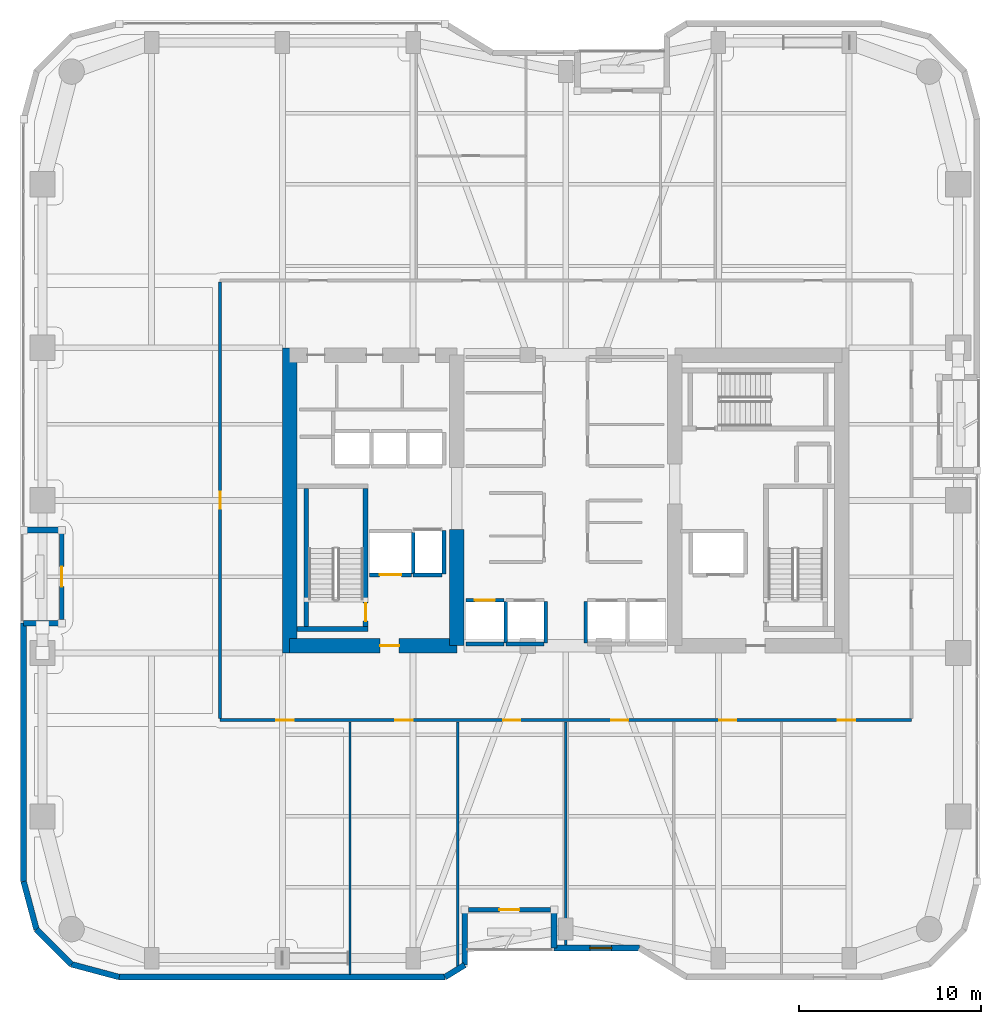
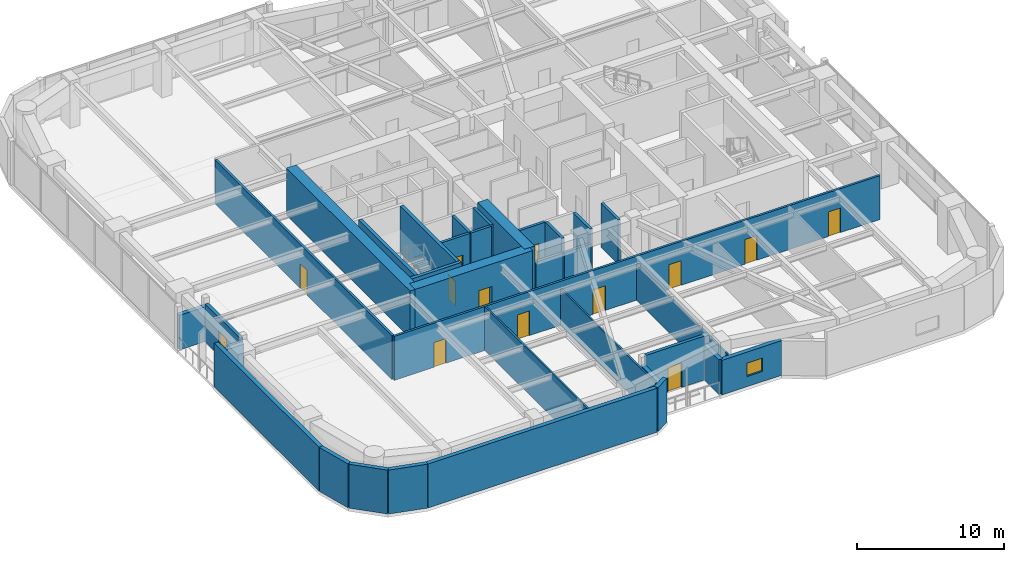
# One storey, part 18 of 24: 34 walls, 13 doors, 1 window, 14 openings.
"""IFC4 building model written with IfcOpenShell, lengths in metres."""

from ifc_helpers import new_model, si_unit, direction, frame, frame_2d, origin, place, context, subcontext, project, spatial, rectangle, extrude, material, layer, layer_set, type_object, element, fill, save


model = new_model("IFC4")

# Units and contexts
model_context = context("Model", 3, precision=1e-05, world=origin(), true_north=direction((0.0, 1.0)))
body_context = subcontext(model_context, "Body", "Model", "MODEL_VIEW")
ifc_project = project(units=[si_unit("LENGTHUNIT", "METRE"), si_unit("AREAUNIT", "SQUARE_METRE"), si_unit("VOLUMEUNIT", "CUBIC_METRE"), si_unit("PLANEANGLEUNIT", "RADIAN"), si_unit("MASSUNIT", "GRAM", prefix="KILO")], contexts=[model_context])

# Site, building, storey
site_placement = place(None, origin())
site = spatial("IfcSite", under=ifc_project, at=site_placement, CompositionType="ELEMENT")
building_placement = place(site_placement, origin())
building = spatial("IfcBuilding", under=site, at=building_placement, Name="Kiyonajd Concourse Tower", CompositionType="ELEMENT")
storey_placement = place(building_placement, frame((0.0, 0.0, 105.300048828125)))
storey = spatial("IfcBuildingStorey", under=building, at=storey_placement, Name="L27", CompositionType="ELEMENT", Elevation=105.300048828125)

# Walls
ifc_material_1 = material(Name="Concrete C70/85", Category="concrete")
ifc_layer_1 = layer(ifc_material_1, 0.800048828125)
ifc_layer_set_1 = layer_set([ifc_layer_1], Name="Concrete C70/85")
wall_type_1 = type_object("IfcWallType", Name="WL-CORE-800", PredefinedType="SHEAR", material=ifc_layer_set_1)
wall_1_placement = place(storey_placement, frame((32.800048828125, 27.60009765625, 0.0), z_axis=(0.0, 0.0, 1.0), x_axis=(0.0, 1.0, 0.0)))
element("IfcWall", 1, at=wall_1_placement, inside=storey, type_object=wall_type_1, Name="L27 West Core Outer Shear Wall", PredefinedType="SHEAR", context=body_context, shape_type="SweptSolid", body=[
    extrude(rectangle(XDim=16.7998046875, YDim=0.800048828125, at=frame_2d((8.39990234375, 0.0))), origin(), (0.0, 0.0, 1.0), 3.89990234375),
])
wall_2_placement = place(storey_placement, frame((42.0, 28.0, 0.0), z_axis=(0.0, 0.0, 1.0), x_axis=(0.0, 1.0, 0.0)))
element("IfcWall", 2, at=wall_2_placement, inside=storey, type_object=wall_type_1, Name="L27 West Core Inner South Shear Wall", PredefinedType="SHEAR", context=body_context, shape_type="SweptSolid", body=[
    extrude(rectangle(XDim=6.39990234375, YDim=0.800048828125, at=frame_2d((3.199951171875, 0.0))), origin(), (0.0, 0.0, 1.0), 3.89990234375),
])

# Wall, opening, door
wall_3_placement = place(storey_placement, frame((32.800048828125, 28.0, 0.0), z_axis=(0.0, 0.0, 1.0), x_axis=(1.0, 0.0, 0.0)))
wall_3 = element("IfcWall", 3, at=wall_3_placement, inside=storey, type_object=wall_type_1, Name="L27 West Core South Shear Wall", PredefinedType="SHEAR", context=body_context, shape_type="SweptSolid", body=[
    extrude(rectangle(XDim=9.199951171875, YDim=0.800048828125, at=frame_2d((4.60009765625, 0.0))), origin(), (0.0, 0.0, 1.0), 3.89990234375),
])
opening_1_placement = place(wall_3_placement, frame((4.97509765625, 0.0, 0.0)))
opening_1 = element("IfcOpeningElement", 4, at=opening_1_placement, cuts=wall_3, Name="Opening DF5", PredefinedType="OPENING", context=body_context, shape_type="SweptSolid", body=[
    extrude(rectangle(XDim=1.050048828125, YDim=2.0400390625, at=frame_2d((0.52490234375, 1.02001953125))), frame((0.0, 0.409912109375, 0.0), z_axis=(0.0, -1.0, 0.0), x_axis=(1.0, 0.0, 0.0)), (0.0, 0.0, 1.0), 0.820068359375),
])
ifc_material_2 = material(Name="Brushed Stainless Steel Cab Assembly", Category="steel")
door_type_1 = type_object("IfcDoorType", Name="DR-FD45-1050", OperationType="NOTDEFINED", PredefinedType="DOOR", material=ifc_material_2)
door_1_placement = place(opening_1_placement, origin())
door_1 = element("IfcDoor", 5, at=door_1_placement, inside=storey, type_object=door_type_1, Name="L27 Firefighting Lift Lobby W Smoke Door", OperationType="SINGLE_SWING_LEFT", OverallHeight=2.0400390625, OverallWidth=1.050048828125, PredefinedType="DOOR", context=body_context, shape_type="SweptSolid", body=[
    extrude(rectangle(XDim=1.050048828125, YDim=2.0400390625, at=frame_2d((0.52490234375, 1.02001953125))), frame((0.0, 0.02490234375, 0.0), z_axis=(0.0, -1.0, 0.0), x_axis=(1.0, 0.0, 0.0)), (0.0, 0.0, 1.0), 0.050048828125),
])
fill(opening_1, door_1)

# Walls
ifc_material_3 = material(Name="Precast concrete C50/60", Category="concrete")
ifc_layer_2 = layer(ifc_material_3, 0.320068359375)
ifc_layer_set_2 = layer_set([ifc_layer_2], Name="Precast concrete C50/60")
wall_type_2 = type_object("IfcWallType", Name="WL-EXT-320", PredefinedType="SOLIDWALL", material=ifc_layer_set_2)
wall_4_placement = place(storey_placement, frame((18.866455078125, 12.3828125, 0.0), z_axis=(0.0, 0.0, 1.0), x_axis=(-0.25869736047, 0.965958423373, 0.0)))
element("IfcWall", 6, at=wall_4_placement, inside=storey, type_object=wall_type_2, Name="L27 Exterior Concrete Frame Wall 00", PredefinedType="SOLIDWALL", context=body_context, shape_type="SweptSolid", body=[
    extrude(rectangle(XDim=2.731201171875, YDim=0.320068359375, at=frame_2d((1.36572265625, 0.0))), origin(), (0.0, 0.0, 1.0), 3.639892578125),
])
wall_5_placement = place(storey_placement, frame((18.159912109375, 15.02099609375, 0.0), z_axis=(0.0, 0.0, 1.0), x_axis=(0.0, 1.0, 0.0)))
element("IfcWall", 7, at=wall_5_placement, inside=storey, type_object=wall_type_2, Name="L27 Exterior Concrete Frame Wall 01", PredefinedType="SOLIDWALL", context=body_context, shape_type="SweptSolid", body=[
    extrude(rectangle(XDim=14.218994140625, YDim=0.320068359375, at=frame_2d((7.109375, 0.0))), origin(), (0.0, 0.0, 1.0), 3.639892578125),
])
for number, where, z_axis, x_axis, name in (
    (8, (18.159912109375, 29.239990234375, 0.0), (0.0, 0.0, 1.0), (1.0, 0.0, 0.0), "L27 Exterior Concrete Frame Wall 02"),
    (9, (20.260009765625, 34.360107421875, 0.0), (0.0, 0.0, 1.0), (-1.0, 0.0, 0.0), "L27 Exterior Concrete Frame Wall 04"),
):
    element("IfcWall", number, at=place(storey_placement, frame(where, z_axis=z_axis, x_axis=x_axis)), inside=storey, type_object=wall_type_2, Name=name, PredefinedType="SOLIDWALL", context=body_context, shape_type="SweptSolid", body=[
        extrude(rectangle(XDim=2.10009765625, YDim=0.320068359375, at=frame_2d((1.050048828125, 0.0))), origin(), (0.0, 0.0, 1.0), 2.875),
    ])

# Wall, opening, window
wall_6_placement = place(storey_placement, frame((52.04541015625, 11.360107421875, 0.0), z_axis=(0.0, 0.0, 1.0), x_axis=(-1.0, 0.0, 0.0)))
wall_6 = element("IfcWall", 10, at=wall_6_placement, inside=storey, type_object=wall_type_2, Name="L27 Exterior Concrete Frame Wall 30", PredefinedType="SOLIDWALL", context=body_context, shape_type="SweptSolid", body=[
    extrude(rectangle(XDim=4.685302734375, YDim=0.320068359375, at=frame_2d((2.3427734375, 0.0))), origin(), (0.0, 0.0, 1.0), 2.875),
])
opening_2_placement = place(wall_6_placement, frame((1.51806640625, 0.0, 0.85009765625)))
opening_2 = element("IfcOpeningElement", 11, at=opening_2_placement, cuts=wall_6, Name="Opening WN3", PredefinedType="OPENING", context=body_context, shape_type="SweptSolid", body=[
    extrude(rectangle(XDim=1.199951171875, YDim=1.10009765625, at=frame_2d((0.60009765625, 0.550048828125))), frame((0.0, 0.169921875, 0.0), z_axis=(0.0, -1.0, 0.0), x_axis=(1.0, 0.0, 0.0)), (0.0, 0.0, 1.0), 0.340087890625),
])
ifc_material_4 = material(Name="Double Low-E Insulated Glass", Category="glass")
window_type = type_object("IfcWindowType", Name="WN-VIS-1200x1100", PartitioningType="SINGLE_PANEL", PredefinedType="WINDOW", material=ifc_material_4)
window_placement = place(opening_2_placement, origin())
window = element("IfcWindow", 12, at=window_placement, inside=storey, type_object=window_type, Name="L27 Modular Facade Vision Window 30", OverallHeight=1.10009765625, OverallWidth=1.199951171875, PartitioningType="SINGLE_PANEL", PredefinedType="WINDOW", context=body_context, shape_type="SweptSolid", body=[
    extrude(rectangle(XDim=1.199951171875, YDim=1.10009765625, at=frame_2d((0.60009765625, 0.550048828125))), frame((0.0, 0.030029296875, 0.0), z_axis=(0.0, -1.0, 0.0), x_axis=(1.0, 0.0, 0.0)), (0.0, 0.0, 1.0), 0.06005859375),
])
fill(opening_2, window)

# Walls
wall_7_placement = place(storey_placement, frame((47.360107421875, 11.360107421875, 0.0), z_axis=(0.0, 0.0, 1.0), x_axis=(0.0, 1.0, 0.0)))
element("IfcWall", 13, at=wall_7_placement, inside=storey, type_object=wall_type_2, Name="L27 Exterior Concrete Frame Wall 31", PredefinedType="SOLIDWALL", context=body_context, shape_type="SweptSolid", body=[
    extrude(rectangle(XDim=2.099853515625, YDim=0.320068359375, at=frame_2d((1.0498046875, 0.0))), origin(), (0.0, 0.0, 1.0), 2.875),
])
wall_8_placement = place(storey_placement, frame((42.43994140625, 13.4599609375, 0.0), z_axis=(0.0, 0.0, 1.0), x_axis=(0.0, -1.0, 0.0)))
element("IfcWall", 14, at=wall_8_placement, inside=storey, type_object=wall_type_2, Name="L27 Exterior Concrete Frame Wall 33", PredefinedType="SOLIDWALL", context=body_context, shape_type="SweptSolid", body=[
    extrude(rectangle(XDim=3.032470703125, YDim=0.320068359375, at=frame_2d((1.51611328125, 0.0))), origin(), (0.0, 0.0, 1.0), 2.875),
])
wall_9_placement = place(storey_placement, frame((42.43994140625, 10.427490234375, 0.0), z_axis=(0.0, 0.0, 1.0), x_axis=(-0.851776724646, -0.523904964045, 0.0)))
element("IfcWall", 15, at=wall_9_placement, inside=storey, type_object=wall_type_2, Name="L27 Exterior Concrete Frame Wall 34", PredefinedType="SOLIDWALL", context=body_context, shape_type="SweptSolid", body=[
    extrude(rectangle(XDim=1.274169921875, YDim=0.320068359375, at=frame_2d((0.63720703125, 0.0))), origin(), (0.0, 0.0, 1.0), 3.639892578125),
])
wall_10_placement = place(storey_placement, frame((41.354736328125, 9.760009765625, 0.0), z_axis=(0.0, 0.0, 1.0), x_axis=(-1.0, 0.0, 0.0)))
element("IfcWall", 16, at=wall_10_placement, inside=storey, type_object=wall_type_2, Name="L27 Exterior Concrete Frame Wall 35", PredefinedType="SOLIDWALL", context=body_context, shape_type="SweptSolid", body=[
    extrude(rectangle(XDim=17.93359375, YDim=0.320068359375, at=frame_2d((8.966796875, 0.0))), origin(), (0.0, 0.0, 1.0), 3.639892578125),
])
wall_11_placement = place(storey_placement, frame((23.421142578125, 9.760009765625, 0.0), z_axis=(0.0, 0.0, 1.0), x_axis=(-0.965964405026, 0.25867502435, 0.0)))
element("IfcWall", 17, at=wall_11_placement, inside=storey, type_object=wall_type_2, Name="L27 Exterior Concrete Frame Wall 36", PredefinedType="SOLIDWALL", context=body_context, shape_type="SweptSolid", body=[
    extrude(rectangle(XDim=2.7314453125, YDim=0.320068359375, at=frame_2d((1.36572265625, 0.0))), origin(), (0.0, 0.0, 1.0), 3.639892578125),
])
wall_12_placement = place(storey_placement, frame((20.78271484375, 10.466552734375, 0.0), z_axis=(0.0, 0.0, 1.0), x_axis=(-0.707106781187, 0.707106781187, 0.0)))
element("IfcWall", 18, at=wall_12_placement, inside=storey, type_object=wall_type_2, Name="L27 Exterior Concrete Frame Wall 37", PredefinedType="SOLIDWALL", context=body_context, shape_type="SweptSolid", body=[
    extrude(rectangle(XDim=2.7099609375, YDim=0.320068359375, at=frame_2d((1.35498046875, 0.0))), origin(), (0.0, 0.0, 1.0), 3.639892578125),
])

# Wall, opening, door
ifc_layer_3 = layer(ifc_material_3, 0.239990234375)
ifc_layer_set_3 = layer_set([ifc_layer_3], Name="Precast concrete C50/60")
wall_type_3 = type_object("IfcWallType", Name="WL-LOG-240", PredefinedType="SOLIDWALL", material=ifc_layer_set_3)
wall_13_placement = place(storey_placement, frame((20.260009765625, 29.43505859375, 0.0), z_axis=(0.0, 0.0, 1.0), x_axis=(0.0, 1.0, 0.0)))
wall_13 = element("IfcWall", 19, at=wall_13_placement, inside=storey, type_object=wall_type_3, Name="L27 Recessed Loggia Thermal Wall LOG-W", PredefinedType="SOLIDWALL", context=body_context, shape_type="SweptSolid", body=[
    extrude(rectangle(XDim=4.72998046875, YDim=0.239990234375, at=frame_2d((2.364990234375, 0.0))), origin(), (0.0, 0.0, 1.0), 3.161865234375),
])
opening_3_placement = place(wall_13_placement, frame((1.81494140625, 0.0, 0.0)))
opening_3 = element("IfcOpeningElement", 20, at=opening_3_placement, cuts=wall_13, Name="Opening DL2", PredefinedType="OPENING", context=body_context, shape_type="SweptSolid", body=[
    extrude(rectangle(XDim=1.10009765625, YDim=2.0400390625, at=frame_2d((0.550048828125, 1.02001953125))), frame((0.0, 0.1298828125, 0.0), z_axis=(0.0, -1.0, 0.0), x_axis=(1.0, 0.0, 0.0)), (0.0, 0.0, 1.0), 0.260009765625),
])
ifc_material_5 = material(Name="Thermally Broken Anodised Aluminium", Category="aluminium")
door_type_2 = type_object("IfcDoorType", Name="DR-LOG-1100", OperationType="NOTDEFINED", PredefinedType="DOOR", material=ifc_material_5)
door_2_placement = place(opening_3_placement, origin())
door_2 = element("IfcDoor", 21, at=door_2_placement, inside=storey, type_object=door_type_2, Name="L27 Engawa Loggia Access Door LOG-W", OperationType="SINGLE_SWING_LEFT", OverallHeight=2.0400390625, OverallWidth=1.10009765625, PredefinedType="DOOR", context=body_context, shape_type="SweptSolid", body=[
    extrude(rectangle(XDim=1.10009765625, YDim=2.0400390625, at=frame_2d((0.550048828125, 1.02001953125))), frame((0.0, 0.02490234375, 0.0), z_axis=(0.0, -1.0, 0.0), x_axis=(1.0, 0.0, 0.0)), (0.0, 0.0, 1.0), 0.050048828125),
])
fill(opening_3, door_2)

wall_14_placement = place(storey_placement, frame((47.1650390625, 13.4599609375, 0.0), z_axis=(0.0, 0.0, 1.0), x_axis=(-1.0, 0.0, 0.0)))
wall_14 = element("IfcWall", 22, at=wall_14_placement, inside=storey, type_object=wall_type_3, Name="L27 Recessed Loggia Thermal Wall LOG-S", PredefinedType="SOLIDWALL", context=body_context, shape_type="SweptSolid", body=[
    extrude(rectangle(XDim=4.530029296875, YDim=0.239990234375, at=frame_2d((2.26513671875, 0.0))), origin(), (0.0, 0.0, 1.0), 3.639892578125),
])
opening_4_placement = place(wall_14_placement, frame((1.715087890625, 0.0, 0.0)))
opening_4 = element("IfcOpeningElement", 23, at=opening_4_placement, cuts=wall_14, Name="Opening DL2", PredefinedType="OPENING", context=body_context, shape_type="SweptSolid", body=[
    extrude(rectangle(XDim=1.10009765625, YDim=2.0400390625, at=frame_2d((0.550048828125, 1.02001953125))), frame((0.0, 0.1298828125, 0.0), z_axis=(0.0, -1.0, 0.0), x_axis=(1.0, 0.0, 0.0)), (0.0, 0.0, 1.0), 0.260009765625),
])
door_3_placement = place(opening_4_placement, origin())
door_3 = element("IfcDoor", 24, at=door_3_placement, inside=storey, type_object=door_type_2, Name="L27 Engawa Loggia Access Door LOG-S", OperationType="SINGLE_SWING_RIGHT", OverallHeight=2.0400390625, OverallWidth=1.10009765625, PredefinedType="DOOR", context=body_context, shape_type="SweptSolid", body=[
    extrude(rectangle(XDim=1.10009765625, YDim=2.0400390625, at=frame_2d((0.550048828125, 1.02001953125))), frame((0.0, 0.02490234375, 0.0), z_axis=(0.0, -1.0, 0.0), x_axis=(1.0, 0.0, 0.0)), (0.0, 0.0, 1.0), 0.050048828125),
])
fill(opening_4, door_3)

# Walls
ifc_material_6 = material(Name="Gypsum Board on Cold-Formed Steel Stud", Category="steel")
ifc_layer_4 = layer(ifc_material_6, 0.125)
ifc_layer_set_4 = layer_set([ifc_layer_4], Name="Gypsum Board on Cold-Formed Steel Stud")
wall_type_4 = type_object("IfcWallType", Name="WL-PART-125", PredefinedType="PARTITIONING", material=ifc_layer_set_4)
wall_15_placement = place(storey_placement, frame((36.1201171875, 9.9150390625, 0.0), z_axis=(0.0, 0.0, 1.0), x_axis=(0.0, 1.0, 0.0)))
element("IfcWall", 25, at=wall_15_placement, inside=storey, type_object=wall_type_4, Name="L27 Interior Partition Wall", PredefinedType="PARTITIONING", context=body_context, shape_type="SweptSolid", body=[
    extrude(rectangle(XDim=13.89794921875, YDim=0.125, at=frame_2d((6.948974609375, 0.0))), origin(), (0.0, 0.0, 1.0), 3.639892578125),
])
wall_16_placement = place(storey_placement, frame((42.06005859375, 10.34912109375, 0.0), z_axis=(0.0, 0.0, 1.0), x_axis=(0.0, 1.0, 0.0)))
element("IfcWall", 26, at=wall_16_placement, inside=storey, type_object=wall_type_4, Name="L27 Interior Partition Wall", PredefinedType="PARTITIONING", context=body_context, shape_type="SweptSolid", body=[
    extrude(rectangle(XDim=13.4638671875, YDim=0.125, at=frame_2d((6.73193359375, 0.0))), origin(), (0.0, 0.0, 1.0), 3.0029296875),
])
wall_17_placement = place(storey_placement, frame((48.0, 11.514892578125, 0.0), z_axis=(0.0, 0.0, 1.0), x_axis=(0.0, 1.0, 0.0)))
element("IfcWall", 27, at=wall_17_placement, inside=storey, type_object=wall_type_4, Name="L27 Interior Partition Wall", PredefinedType="PARTITIONING", context=body_context, shape_type="SweptSolid", body=[
    extrude(rectangle(XDim=12.298095703125, YDim=0.125, at=frame_2d((6.14892578125, 0.0))), origin(), (0.0, 0.0, 1.0), 3.0029296875),
])

# Wall, opening, door
ifc_layer_5 = layer(ifc_material_6, 0.2099609375)
ifc_layer_set_5 = layer_set([ifc_layer_5], Name="Gypsum Board on Cold-Formed Steel Stud")
wall_type_5 = type_object("IfcWallType", Name="WL-SHAFT-210", PredefinedType="PARTITIONING", material=ifc_layer_set_5)
wall_18_placement = place(storey_placement, frame((37.199951171875, 31.89990234375, 0.0), z_axis=(0.0, 0.0, 1.0), x_axis=(1.0, 0.0, 0.0)))
wall_18 = element("IfcWall", 28, at=wall_18_placement, inside=storey, type_object=wall_type_5, Name="L27 Shaft Enclosure Wall", PredefinedType="PARTITIONING", context=body_context, shape_type="SweptSolid", body=[
    extrude(rectangle(XDim=2.300048828125, YDim=0.2099609375, at=frame_2d((1.14990234375, 0.0))), origin(), (0.0, 0.0, 1.0), 3.639892578125),
])
opening_5_placement = place(wall_18_placement, frame((0.550048828125, 0.0, 0.0)))
opening_5 = element("IfcOpeningElement", 29, at=opening_5_placement, cuts=wall_18, Name="Opening LD2", PredefinedType="OPENING", context=body_context, shape_type="SweptSolid", body=[
    extrude(rectangle(XDim=1.199951171875, YDim=2.0400390625, at=frame_2d((0.60009765625, 1.02001953125))), frame((0.0, 0.114990234375, 0.0), z_axis=(0.0, -1.0, 0.0), x_axis=(1.0, 0.0, 0.0)), (0.0, 0.0, 1.0), 0.22998046875),
])
door_type_3 = type_object("IfcDoorType", Name="DR-LD-1200", OperationType="DOUBLE_DOOR_SLIDING", PredefinedType="DOOR", material=ifc_material_2)
door_4_placement = place(opening_5_placement, origin())
door_4 = element("IfcDoor", 30, at=door_4_placement, inside=storey, type_object=door_type_3, Name="L27 Lift FFL1 Sliding Landing Door", OperationType="DOUBLE_DOOR_SLIDING", OverallHeight=2.0400390625, OverallWidth=1.199951171875, PredefinedType="DOOR", context=body_context, shape_type="SweptSolid", body=[
    extrude(rectangle(XDim=1.199951171875, YDim=2.0400390625, at=frame_2d((0.60009765625, 1.02001953125))), frame((0.0, 0.02490234375, 0.0), z_axis=(0.0, -1.0, 0.0), x_axis=(1.0, 0.0, 0.0)), (0.0, 0.0, 1.0), 0.050048828125),
])
fill(opening_5, door_4)

# Walls
wall_19_placement = place(storey_placement, frame((39.60009765625, 31.9599609375, 0.0), z_axis=(0.0, 0.0, 1.0), x_axis=(0.0, 1.0, 0.0)))
element("IfcWall", 31, at=wall_19_placement, inside=storey, type_object=wall_type_5, Name="L27 Shaft Enclosure Wall", PredefinedType="PARTITIONING", context=body_context, shape_type="SweptSolid", body=[
    extrude(rectangle(XDim=2.280029296875, YDim=0.2099609375, at=frame_2d((1.14013671875, 0.0))), origin(), (0.0, 0.0, 1.0), 3.639892578125),
])
wall_20_placement = place(storey_placement, frame((39.60009765625, 31.89990234375, 0.0), z_axis=(0.0, 0.0, 1.0), x_axis=(1.0, 0.0, 0.0)))
element("IfcWall", 32, at=wall_20_placement, inside=storey, type_object=wall_type_5, Name="L27 Shaft Enclosure Wall", PredefinedType="PARTITIONING", context=body_context, shape_type="SweptSolid", body=[
    extrude(rectangle(XDim=1.599853515625, YDim=0.2099609375, at=frame_2d((0.7998046875, 0.0))), origin(), (0.0, 0.0, 1.0), 3.639892578125),
])
wall_21_placement = place(storey_placement, frame((41.300048828125, 31.9599609375, 0.0), z_axis=(0.0, 0.0, 1.0), x_axis=(0.0, 1.0, 0.0)))
element("IfcWall", 33, at=wall_21_placement, inside=storey, type_object=wall_type_5, Name="L27 Shaft Enclosure Wall", PredefinedType="PARTITIONING", context=body_context, shape_type="SweptSolid", body=[
    extrude(rectangle(XDim=2.380126953125, YDim=0.2099609375, at=frame_2d((1.18994140625, 0.0))), origin(), (0.0, 0.0, 1.0), 3.639892578125),
])

# Wall, opening, door
wall_22_placement = place(storey_placement, frame((42.5, 30.5, 0.0), z_axis=(0.0, 0.0, 1.0), x_axis=(1.0, 0.0, 0.0)))
wall_22 = element("IfcWall", 34, at=wall_22_placement, inside=storey, type_object=wall_type_5, Name="L27 Shaft Enclosure Wall", PredefinedType="PARTITIONING", context=body_context, shape_type="SweptSolid", body=[
    extrude(rectangle(XDim=2.10009765625, YDim=0.2099609375, at=frame_2d((1.050048828125, 0.0))), origin(), (0.0, 0.0, 1.0), 3.639892578125),
])
opening_6_placement = place(wall_22_placement, frame((0.5, 0.0, 0.0)))
opening_6 = element("IfcOpeningElement", 35, at=opening_6_placement, cuts=wall_22, Name="Opening LD1", PredefinedType="OPENING", context=body_context, shape_type="SweptSolid", body=[
    extrude(rectangle(XDim=1.10009765625, YDim=2.0400390625, at=frame_2d((0.550048828125, 1.02001953125))), frame((0.0, 0.114990234375, 0.0), z_axis=(0.0, -1.0, 0.0), x_axis=(1.0, 0.0, 0.0)), (0.0, 0.0, 1.0), 0.22998046875),
])
door_type_4 = type_object("IfcDoorType", Name="DR-LD-1100", OperationType="DOUBLE_DOOR_SLIDING", PredefinedType="DOOR", material=ifc_material_2)
door_5_placement = place(opening_6_placement, origin())
door_5 = element("IfcDoor", 36, at=door_5_placement, inside=storey, type_object=door_type_4, Name="L27 Lift PL-L1 Sliding Landing Door", OperationType="DOUBLE_DOOR_SLIDING", OverallHeight=2.0400390625, OverallWidth=1.10009765625, PredefinedType="DOOR", context=body_context, shape_type="SweptSolid", body=[
    extrude(rectangle(XDim=1.10009765625, YDim=2.0400390625, at=frame_2d((0.550048828125, 1.02001953125))), frame((0.0, 0.02490234375, 0.0), z_axis=(0.0, -1.0, 0.0), x_axis=(1.0, 0.0, 0.0)), (0.0, 0.0, 1.0), 0.050048828125),
])
fill(opening_6, door_5)

# Walls
wall_23_placement = place(storey_placement, frame((42.5, 28.10009765625, 0.0), z_axis=(0.0, 0.0, 1.0), x_axis=(1.0, 0.0, 0.0)))
element("IfcWall", 37, at=wall_23_placement, inside=storey, type_object=wall_type_5, Name="L27 Shaft Enclosure Wall", PredefinedType="PARTITIONING", context=body_context, shape_type="SweptSolid", body=[
    extrude(rectangle(XDim=2.10009765625, YDim=0.2099609375, at=frame_2d((1.050048828125, 0.0))), origin(), (0.0, 0.0, 1.0), 2.52490234375),
])
wall_24_placement = place(storey_placement, frame((44.699951171875, 28.159912109375, 0.0), z_axis=(0.0, 0.0, 1.0), x_axis=(0.0, 1.0, 0.0)))
element("IfcWall", 38, at=wall_24_placement, inside=storey, type_object=wall_type_5, Name="L27 Shaft Enclosure Wall", PredefinedType="PARTITIONING", context=body_context, shape_type="SweptSolid", body=[
    extrude(rectangle(XDim=2.280029296875, YDim=0.2099609375, at=frame_2d((1.14013671875, 0.0))), origin(), (0.0, 0.0, 1.0), 3.639892578125),
])
wall_25_placement = place(storey_placement, frame((44.699951171875, 28.10009765625, 0.0), z_axis=(0.0, 0.0, 1.0), x_axis=(1.0, 0.0, 0.0)))
element("IfcWall", 39, at=wall_25_placement, inside=storey, type_object=wall_type_5, Name="L27 Shaft Enclosure Wall", PredefinedType="PARTITIONING", context=body_context, shape_type="SweptSolid", body=[
    extrude(rectangle(XDim=2.10009765625, YDim=0.2099609375, at=frame_2d((1.050048828125, 0.0))), origin(), (0.0, 0.0, 1.0), 2.52490234375),
])
for number, where, z_axis, x_axis, name in (
    (40, (46.89990234375, 28.159912109375, 0.0), (0.0, 0.0, 1.0), (0.0, 1.0, 0.0), "L27 Shaft Enclosure Wall"),
    (41, (49.10009765625, 28.159912109375, 0.0), (0.0, 0.0, 1.0), (0.0, 1.0, 0.0), "L27 Shaft Enclosure Wall"),
):
    element("IfcWall", number, at=place(storey_placement, frame(where, z_axis=z_axis, x_axis=x_axis)), inside=storey, type_object=wall_type_5, Name=name, PredefinedType="PARTITIONING", context=body_context, shape_type="SweptSolid", body=[
        extrude(rectangle(XDim=2.280029296875, YDim=0.2099609375, at=frame_2d((1.14013671875, 0.0))), origin(), (0.0, 0.0, 1.0), 3.639892578125),
    ])

# Wall, openings, doors
ifc_layer_6 = layer(ifc_material_6, 0.169921875)
ifc_layer_set_6 = layer_set([ifc_layer_6], Name="Gypsum Board on Cold-Formed Steel Stud")
wall_type_6 = type_object("IfcWallType", Name="WL-SMK-170", PredefinedType="PARTITIONING", material=ifc_layer_set_6)
wall_26_placement = place(storey_placement, frame((28.97509765625, 23.89990234375, 0.0), z_axis=(0.0, 0.0, 1.0), x_axis=(1.0, 0.0, 0.0)))
wall_26 = element("IfcWall", 42, at=wall_26_placement, inside=storey, type_object=wall_type_6, Name="L27 Interior Partition Wall", PredefinedType="PARTITIONING", context=body_context, shape_type="SweptSolid", body=[
    extrude(rectangle(XDim=38.0498046875, YDim=0.169921875, at=frame_2d((19.02490234375, 0.0))), origin(), (0.0, 0.0, 1.0), 3.639892578125),
])
opening_7_placement = place(wall_26_placement, frame((3.096923828125, 0.0, 0.0)))
opening_7 = element("IfcOpeningElement", 43, at=opening_7_placement, cuts=wall_26, Name="Opening DI1", PredefinedType="OPENING", context=body_context, shape_type="SweptSolid", body=[
    extrude(rectangle(XDim=0.949951171875, YDim=2.0400390625, at=frame_2d((0.47509765625, 1.02001953125))), frame((0.0, 0.094970703125, 0.0), z_axis=(0.0, -1.0, 0.0), x_axis=(1.0, 0.0, 0.0)), (0.0, 0.0, 1.0), 0.18994140625),
])
opening_8_placement = place(wall_26_placement, frame((9.639892578125, 0.0, 0.0)))
opening_8 = element("IfcOpeningElement", 44, at=opening_8_placement, cuts=wall_26, Name="Opening DI1", PredefinedType="OPENING", context=body_context, shape_type="SweptSolid", body=[
    extrude(rectangle(XDim=0.949951171875, YDim=2.0400390625, at=frame_2d((0.47509765625, 1.02001953125))), frame((0.0, 0.094970703125, 0.0), z_axis=(0.0, -1.0, 0.0), x_axis=(1.0, 0.0, 0.0)), (0.0, 0.0, 1.0), 0.18994140625),
])
opening_9_placement = place(wall_26_placement, frame((15.580078125, 0.0, 0.0)))
opening_9 = element("IfcOpeningElement", 45, at=opening_9_placement, cuts=wall_26, Name="Opening DI1", PredefinedType="OPENING", context=body_context, shape_type="SweptSolid", body=[
    extrude(rectangle(XDim=0.949951171875, YDim=2.0400390625, at=frame_2d((0.47509765625, 1.02001953125))), frame((0.0, 0.094970703125, 0.0), z_axis=(0.0, -1.0, 0.0), x_axis=(1.0, 0.0, 0.0)), (0.0, 0.0, 1.0), 0.18994140625),
])
opening_10_placement = place(wall_26_placement, frame((21.52001953125, 0.0, 0.0)))
opening_10 = element("IfcOpeningElement", 46, at=opening_10_placement, cuts=wall_26, Name="Opening DI1", PredefinedType="OPENING", context=body_context, shape_type="SweptSolid", body=[
    extrude(rectangle(XDim=0.949951171875, YDim=2.0400390625, at=frame_2d((0.47509765625, 1.02001953125))), frame((0.0, 0.094970703125, 0.0), z_axis=(0.0, -1.0, 0.0), x_axis=(1.0, 0.0, 0.0)), (0.0, 0.0, 1.0), 0.18994140625),
])
opening_11_placement = place(wall_26_placement, frame((27.4599609375, 0.0, 0.0)))
opening_11 = element("IfcOpeningElement", 47, at=opening_11_placement, cuts=wall_26, Name="Opening DI1", PredefinedType="OPENING", context=body_context, shape_type="SweptSolid", body=[
    extrude(rectangle(XDim=0.949951171875, YDim=2.0400390625, at=frame_2d((0.47509765625, 1.02001953125))), frame((0.0, 0.094970703125, 0.0), z_axis=(0.0, -1.0, 0.0), x_axis=(1.0, 0.0, 0.0)), (0.0, 0.0, 1.0), 0.18994140625),
])
opening_12_placement = place(wall_26_placement, frame((34.0029296875, 0.0, 0.0)))
opening_12 = element("IfcOpeningElement", 48, at=opening_12_placement, cuts=wall_26, Name="Opening DI1", PredefinedType="OPENING", context=body_context, shape_type="SweptSolid", body=[
    extrude(rectangle(XDim=0.949951171875, YDim=2.0400390625, at=frame_2d((0.47509765625, 1.02001953125))), frame((0.0, 0.094970703125, 0.0), z_axis=(0.0, -1.0, 0.0), x_axis=(1.0, 0.0, 0.0)), (0.0, 0.0, 1.0), 0.18994140625),
])
ifc_material_7 = material(Name="Natural Oak Acoustic Timber Veneer", Category="wood")
door_type_5 = type_object("IfcDoorType", Name="DR-INT-950", OperationType="NOTDEFINED", PredefinedType="DOOR", material=ifc_material_7)
door_6_placement = place(opening_7_placement, origin())
door_6 = element("IfcDoor", 49, at=door_6_placement, inside=storey, type_object=door_type_5, Name="L27 Interior Door", OperationType="SINGLE_SWING_RIGHT", OverallHeight=2.0400390625, OverallWidth=0.949951171875, PredefinedType="DOOR", context=body_context, shape_type="SweptSolid", body=[
    extrude(rectangle(XDim=0.949951171875, YDim=2.0400390625, at=frame_2d((0.47509765625, 1.02001953125))), frame((0.0, 0.02490234375, 0.0), z_axis=(0.0, -1.0, 0.0), x_axis=(1.0, 0.0, 0.0)), (0.0, 0.0, 1.0), 0.050048828125),
])
fill(opening_7, door_6)
door_7_placement = place(opening_8_placement, origin())
door_7 = element("IfcDoor", 50, at=door_7_placement, inside=storey, type_object=door_type_5, Name="L27 Interior Door", OperationType="SINGLE_SWING_LEFT", OverallHeight=2.0400390625, OverallWidth=0.949951171875, PredefinedType="DOOR", context=body_context, shape_type="SweptSolid", body=[
    extrude(rectangle(XDim=0.949951171875, YDim=2.0400390625, at=frame_2d((0.47509765625, 1.02001953125))), frame((0.0, 0.02490234375, 0.0), z_axis=(0.0, -1.0, 0.0), x_axis=(1.0, 0.0, 0.0)), (0.0, 0.0, 1.0), 0.050048828125),
])
fill(opening_8, door_7)
door_8_placement = place(opening_9_placement, origin())
door_8 = element("IfcDoor", 51, at=door_8_placement, inside=storey, type_object=door_type_5, Name="L27 Interior Door", OperationType="SINGLE_SWING_RIGHT", OverallHeight=2.0400390625, OverallWidth=0.949951171875, PredefinedType="DOOR", context=body_context, shape_type="SweptSolid", body=[
    extrude(rectangle(XDim=0.949951171875, YDim=2.0400390625, at=frame_2d((0.47509765625, 1.02001953125))), frame((0.0, 0.02490234375, 0.0), z_axis=(0.0, -1.0, 0.0), x_axis=(1.0, 0.0, 0.0)), (0.0, 0.0, 1.0), 0.050048828125),
])
fill(opening_9, door_8)
door_9_placement = place(opening_10_placement, origin())
door_9 = element("IfcDoor", 52, at=door_9_placement, inside=storey, type_object=door_type_5, Name="L27 Interior Door", OperationType="SINGLE_SWING_LEFT", OverallHeight=2.0400390625, OverallWidth=0.949951171875, PredefinedType="DOOR", context=body_context, shape_type="SweptSolid", body=[
    extrude(rectangle(XDim=0.949951171875, YDim=2.0400390625, at=frame_2d((0.47509765625, 1.02001953125))), frame((0.0, 0.02490234375, 0.0), z_axis=(0.0, -1.0, 0.0), x_axis=(1.0, 0.0, 0.0)), (0.0, 0.0, 1.0), 0.050048828125),
])
fill(opening_10, door_9)
door_10_placement = place(opening_11_placement, origin())
door_10 = element("IfcDoor", 53, at=door_10_placement, inside=storey, type_object=door_type_5, Name="L27 Interior Door", OperationType="SINGLE_SWING_RIGHT", OverallHeight=2.0400390625, OverallWidth=0.949951171875, PredefinedType="DOOR", context=body_context, shape_type="SweptSolid", body=[
    extrude(rectangle(XDim=0.949951171875, YDim=2.0400390625, at=frame_2d((0.47509765625, 1.02001953125))), frame((0.0, 0.02490234375, 0.0), z_axis=(0.0, -1.0, 0.0), x_axis=(1.0, 0.0, 0.0)), (0.0, 0.0, 1.0), 0.050048828125),
])
fill(opening_11, door_10)
door_11_placement = place(opening_12_placement, origin())
door_11 = element("IfcDoor", 54, at=door_11_placement, inside=storey, type_object=door_type_5, Name="L27 Interior Door", OperationType="SINGLE_SWING_LEFT", OverallHeight=2.0400390625, OverallWidth=0.949951171875, PredefinedType="DOOR", context=body_context, shape_type="SweptSolid", body=[
    extrude(rectangle(XDim=0.949951171875, YDim=2.0400390625, at=frame_2d((0.47509765625, 1.02001953125))), frame((0.0, 0.02490234375, 0.0), z_axis=(0.0, -1.0, 0.0), x_axis=(1.0, 0.0, 0.0)), (0.0, 0.0, 1.0), 0.050048828125),
])
fill(opening_12, door_11)

# Wall, opening, door
wall_27_placement = place(storey_placement, frame((28.97509765625, 23.987060546875, 0.0), z_axis=(0.0, 0.0, 1.0), x_axis=(0.0, 1.0, 0.0)))
wall_27 = element("IfcWall", 55, at=wall_27_placement, inside=storey, type_object=wall_type_6, Name="L27 Interior Partition Wall", PredefinedType="PARTITIONING", context=body_context, shape_type="SweptSolid", body=[
    extrude(rectangle(XDim=24.02587890625, YDim=0.169921875, at=frame_2d((12.012939453125, 0.0))), origin(), (0.0, 0.0, 1.0), 3.639892578125),
])
opening_13_placement = place(wall_27_placement, frame((11.5380859375, 0.0, 0.0)))
opening_13 = element("IfcOpeningElement", 56, at=opening_13_placement, cuts=wall_27, Name="Opening DI1", PredefinedType="OPENING", context=body_context, shape_type="SweptSolid", body=[
    extrude(rectangle(XDim=0.949951171875, YDim=2.0400390625, at=frame_2d((0.47509765625, 1.02001953125))), frame((0.0, 0.094970703125, 0.0), z_axis=(0.0, -1.0, 0.0), x_axis=(1.0, 0.0, 0.0)), (0.0, 0.0, 1.0), 0.18994140625),
])
door_12_placement = place(opening_13_placement, origin())
door_12 = element("IfcDoor", 57, at=door_12_placement, inside=storey, type_object=door_type_5, Name="L27 Interior Door", OperationType="SINGLE_SWING_RIGHT", OverallHeight=2.0400390625, OverallWidth=0.949951171875, PredefinedType="DOOR", context=body_context, shape_type="SweptSolid", body=[
    extrude(rectangle(XDim=0.949951171875, YDim=2.0400390625, at=frame_2d((0.47509765625, 1.02001953125))), frame((0.0, 0.02490234375, 0.0), z_axis=(0.0, -1.0, 0.0), x_axis=(1.0, 0.0, 0.0)), (0.0, 0.0, 1.0), 0.050048828125),
])
fill(opening_13, door_12)

# Walls
ifc_material_8 = material(Name="Concrete C50/60", Category="concrete")
ifc_layer_7 = layer(ifc_material_8, 0.260009765625)
ifc_layer_set_7 = layer_set([ifc_layer_7], Name="Concrete C50/60")
wall_type_7 = type_object("IfcWallType", Name="WL-STAIR-260", PredefinedType="SHEAR", material=ifc_layer_set_7)
wall_28_placement = place(storey_placement, frame((33.199951171875, 28.919921875, 0.0), z_axis=(0.0, 0.0, 1.0), x_axis=(1.0, 0.0, 0.0)))
element("IfcWall", 58, at=wall_28_placement, inside=storey, type_object=wall_type_7, Name="L27 Stair ST1 Structural South Wall", PredefinedType="SHEAR", context=body_context, shape_type="SweptSolid", body=[
    extrude(rectangle(XDim=3.91015625, YDim=0.260009765625, at=frame_2d((1.955078125, 0.0))), origin(), (0.0, 0.0, 1.0), 3.89990234375),
])
wall_29_placement = place(storey_placement, frame((33.719970703125, 29.050048828125, 0.0), z_axis=(0.0, 0.0, 1.0), x_axis=(0.0, 1.0, 0.0)))
element("IfcWall", 59, at=wall_29_placement, inside=storey, type_object=wall_type_7, Name="L27 Stair ST1 Structural West Wall", PredefinedType="SHEAR", context=body_context, shape_type="SweptSolid", body=[
    extrude(rectangle(XDim=7.599853515625, YDim=0.260009765625, at=frame_2d((3.7998046875, 0.0))), origin(), (0.0, 0.0, 1.0), 3.89990234375),
])

# Wall, opening, door
wall_30_placement = place(storey_placement, frame((36.97998046875, 29.050048828125, 0.0), z_axis=(0.0, 0.0, 1.0), x_axis=(0.0, 1.0, 0.0)))
wall_30 = element("IfcWall", 60, at=wall_30_placement, inside=storey, type_object=wall_type_7, Name="L27 Stair ST1 Structural East Wall", PredefinedType="SHEAR", context=body_context, shape_type="SweptSolid", body=[
    extrude(rectangle(XDim=7.599853515625, YDim=0.260009765625, at=frame_2d((3.7998046875, 0.0))), origin(), (0.0, 0.0, 1.0), 3.89990234375),
])
opening_14_placement = place(wall_30_placement, frame((0.300048828125, 0.0, 0.0)))
opening_14 = element("IfcOpeningElement", 61, at=opening_14_placement, cuts=wall_30, Name="Opening DF1", PredefinedType="OPENING", context=body_context, shape_type="SweptSolid", body=[
    extrude(rectangle(XDim=1.0, YDim=2.0400390625, at=frame_2d((0.5, 1.02001953125))), frame((0.0, 0.139892578125, 0.0), z_axis=(0.0, -1.0, 0.0), x_axis=(1.0, 0.0, 0.0)), (0.0, 0.0, 1.0), 0.280029296875),
])
door_type_6 = type_object("IfcDoorType", Name="DR-FD90-1000", OperationType="NOTDEFINED", PredefinedType="DOOR", material=ifc_material_2)
door_13_placement = place(opening_14_placement, origin())
door_13 = element("IfcDoor", 62, at=door_13_placement, inside=storey, type_object=door_type_6, Name="L27 Stair ST1 FSAE Door", OperationType="SINGLE_SWING_LEFT", OverallHeight=2.0400390625, OverallWidth=1.0, PredefinedType="DOOR", context=body_context, shape_type="SweptSolid", body=[
    extrude(rectangle(XDim=1.0, YDim=2.0400390625, at=frame_2d((0.5, 1.02001953125))), frame((0.0, 0.02490234375, 0.0), z_axis=(0.0, -1.0, 0.0), x_axis=(1.0, 0.0, 0.0)), (0.0, 0.0, 1.0), 0.050048828125),
])
fill(opening_14, door_13)

save(model, "model.ifc")
